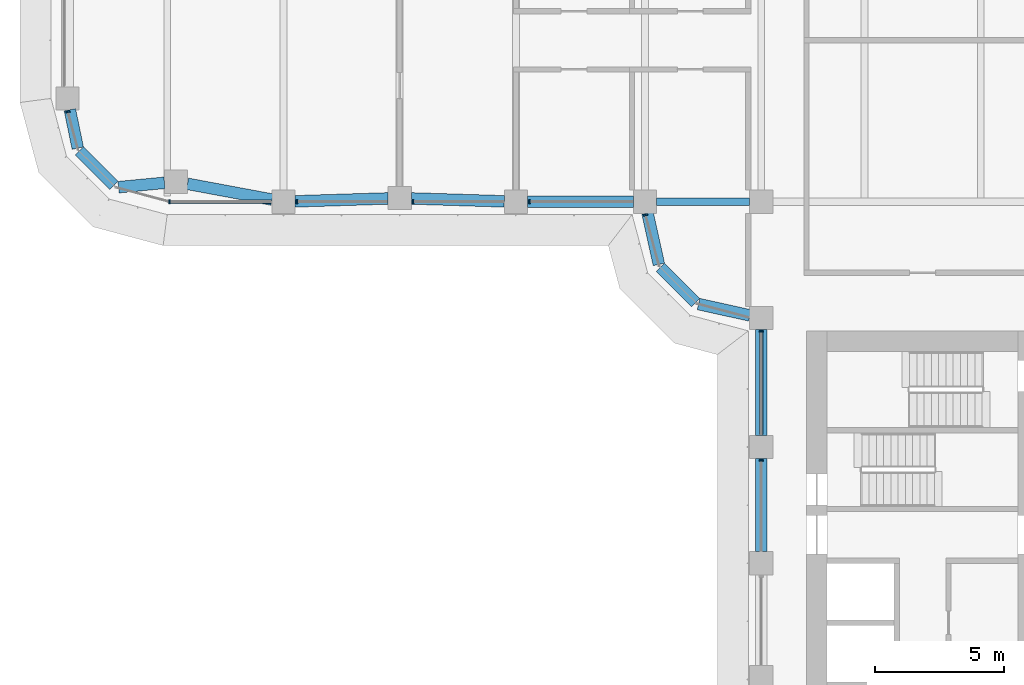
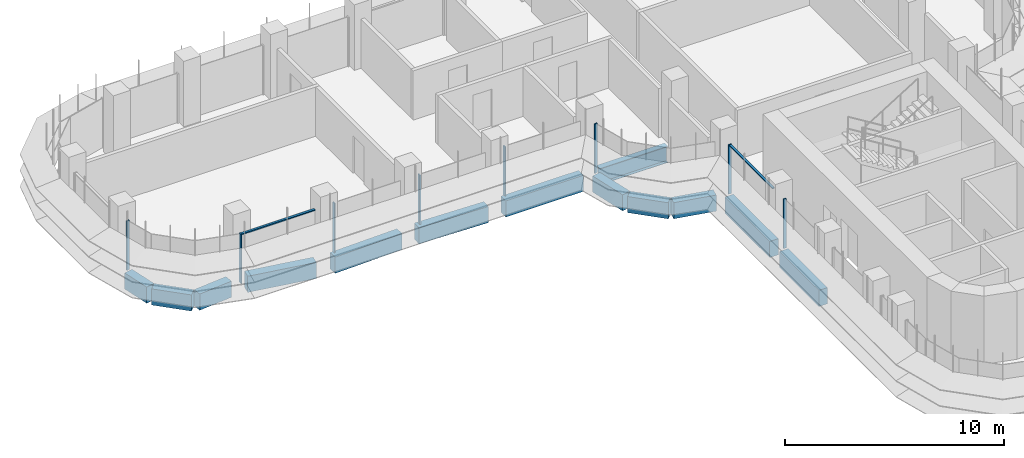
# One storey, part 3 of 21: 13 beams, 10 members, 4 elements without a shape of their own.
"""IFC4 building model written with IfcOpenShell, lengths in metres."""

from ifc_helpers import new_model, si_unit, direction, frame, origin, origin_2d, place, context, subcontext, project, spatial, polyline, rectangle, i_section, outline, extrude, source, transform, mapped, material, material_profile, profile_set, type_object, element, aggregate, save


model = new_model("IFC4")

# Units and contexts
model_context = context("Model", 3, precision=1e-05, world=origin(), true_north=direction((0.0, 1.0)))
body_context = subcontext(model_context, "Body", "Model", "MODEL_VIEW")
ifc_project = project(units=[si_unit("LENGTHUNIT", "METRE"), si_unit("AREAUNIT", "SQUARE_METRE"), si_unit("VOLUMEUNIT", "CUBIC_METRE"), si_unit("PLANEANGLEUNIT", "RADIAN"), si_unit("MASSUNIT", "GRAM", prefix="KILO")], contexts=[model_context])

# Site, building, storey
site_placement = place(None, origin())
site = spatial("IfcSite", under=ifc_project, at=site_placement, CompositionType="ELEMENT")
building_placement = place(site_placement, origin())
building = spatial("IfcBuilding", under=site, at=building_placement, Name="Zarbagh Exchange Tower", CompositionType="ELEMENT")
storey_placement = place(building_placement, frame((0.0, 0.0, 120.800048828125)))
storey = spatial("IfcBuildingStorey", under=building, at=storey_placement, Name="L28", CompositionType="ELEMENT", Elevation=120.800048828125)

# Beams
ifc_material_1 = material(Name="Steel ASTM A992 Gr 50", Category="steel")
ifc_material_profile_1 = material_profile(ifc_material_1, i_section(OverallWidth=0.3046875, OverallDepth=0.911865234375, WebThickness=0.015869140625, FlangeThickness=0.02392578125, at=origin_2d()), Name="W36X150")
ifc_profile_set_1 = profile_set([ifc_material_profile_1], Name="Steel ASTM A992 Gr 50")
beam_type_1 = type_object("IfcBeamType", Name="Floor girder W36X150", PredefinedType="BEAM", material=ifc_profile_set_1)
beam_1_placement = place(storey_placement, frame((-10.300048828125, -6.25, -0.60595703125), z_axis=(1.0, 0.0, 0.0), x_axis=(0.0, 1.0, 0.0)))
element("IfcBeam", 1, at=beam_1_placement, inside=storey, type_object=beam_type_1, Name="Steel girder", PredefinedType="BEAM", context=body_context, shape_type="SweptSolid", body=[
    extrude(i_section(OverallWidth=0.3046875, OverallDepth=0.911865234375, WebThickness=0.015869140625, FlangeThickness=0.02392578125, at=origin_2d()), origin(), (0.0, 0.0, 1.0), 3.60009765625),
])
ifc_material_2 = material(Name="Concrete C60/75", Category="concrete")
ifc_material_profile_2 = material_profile(ifc_material_2, rectangle(XDim=0.449951171875, YDim=0.89990234375, at=origin_2d()), Name="RC spandrel beam 450 x 900 C60/75")
ifc_profile_set_2 = profile_set([ifc_material_profile_2], Name="Concrete C60/75")
beam_type_2 = type_object("IfcBeamType", Name="RC spandrel beam 450 x 900 C60/75", PredefinedType="SPANDREL", material=ifc_profile_set_2)
beam_2_placement = place(storey_placement, frame((-6.25, -19.800048828125, -0.60009765625), z_axis=(0.0, 1.0, 0.0), x_axis=(-1.0, 0.0, 0.0)))
element("IfcBeam", 2, at=beam_2_placement, inside=storey, type_object=beam_type_2, Name="RC spandrel beam", PredefinedType="SPANDREL", context=body_context, shape_type="SweptSolid", body=[
    extrude(rectangle(XDim=0.449951171875, YDim=0.89990234375, at=origin_2d()), origin(), (0.0, 0.0, 1.0), 3.60009765625),
])
beam_3_placement = place(storey_placement, frame((-6.25, -15.300048828125, -0.60009765625), z_axis=(0.0, 1.0, 0.0), x_axis=(-1.0, 0.0, 0.0)))
element("IfcBeam", 3, at=beam_3_placement, inside=storey, type_object=beam_type_2, Name="RC spandrel beam", PredefinedType="SPANDREL", context=body_context, shape_type="SweptSolid", body=[
    extrude(rectangle(XDim=0.449951171875, YDim=0.89990234375, at=origin_2d()), origin(), (0.0, 0.0, 1.0), 4.10009765625),
])
beam_4_placement = place(storey_placement, frame((-6.689453125, -10.65283203125, -0.60009765625), z_axis=(-0.976367325525, 0.216117666208, 0.0), x_axis=(-0.216117666208, -0.976367325525, 0.0)))
element("IfcBeam", 4, at=beam_4_placement, inside=storey, type_object=beam_type_2, Name="RC spandrel beam", PredefinedType="SPANDREL", context=body_context, shape_type="SweptSolid", body=[
    extrude(rectangle(XDim=0.449951171875, YDim=0.89990234375, at=origin_2d()), origin(), (0.0, 0.0, 1.0), 2.03564453125),
])
beam_5_placement = place(storey_placement, frame((-8.78759765625, -10.15234375, -0.60009765625), z_axis=(-0.707106781187, 0.707106781187, 0.0), x_axis=(-0.707106781187, -0.707106781187, 0.0)))
element("IfcBeam", 5, at=beam_5_placement, inside=storey, type_object=beam_type_2, Name="RC spandrel beam", PredefinedType="SPANDREL", context=body_context, shape_type="SweptSolid", body=[
    extrude(rectangle(XDim=0.449951171875, YDim=0.89990234375, at=origin_2d()), origin(), (0.0, 0.0, 1.0), 1.929931640625),
])
beam_6_placement = place(storey_placement, frame((-10.212890625, -8.677001953125, -0.60009765625), z_axis=(-0.216117666208, 0.976367325525, 0.0), x_axis=(-0.976367325525, -0.216117666208, 0.0)))
element("IfcBeam", 6, at=beam_6_placement, inside=storey, type_object=beam_type_2, Name="RC spandrel beam", PredefinedType="SPANDREL", context=body_context, shape_type="SweptSolid", body=[
    extrude(rectangle(XDim=0.449951171875, YDim=0.89990234375, at=origin_2d()), origin(), (0.0, 0.0, 1.0), 2.03564453125),
])
beam_7_placement = place(storey_placement, frame((-11.199951171875, -6.25, -0.60009765625), z_axis=(-1.0, 0.0, 0.0), x_axis=(0.0, -1.0, 0.0)))
element("IfcBeam", 7, at=beam_7_placement, inside=storey, type_object=beam_type_2, Name="RC spandrel beam", PredefinedType="SPANDREL", context=body_context, shape_type="SweptSolid", body=[
    extrude(rectangle(XDim=0.449951171875, YDim=0.89990234375, at=origin_2d()), origin(), (0.0, 0.0, 1.0), 4.10009765625),
])
for number, where, z_axis, x_axis, name in (
    (8, (-16.19970703125, -6.236083984375, -0.60009765625), (-0.999516035224, 0.031107801747, 0.0), (-0.031107801747, -0.999516035224, 0.0), "RC spandrel beam"),
    (9, (-20.69970703125, -6.1240234375, -0.60009765625), (-0.999516035224, -0.031107801747, 0.0), (0.031107801747, -0.999516035224, 0.0), "RC spandrel beam"),
):
    element("IfcBeam", number, at=place(storey_placement, frame(where, z_axis=z_axis, x_axis=x_axis)), inside=storey, type_object=beam_type_2, Name=name, PredefinedType="SPANDREL", context=body_context, shape_type="SweptSolid", body=[
        extrude(rectangle(XDim=0.449951171875, YDim=0.89990234375, at=origin_2d()), origin(), (0.0, 0.0, 1.0), 3.602294921875),
    ])
beam_8_placement = place(storey_placement, frame((-25.1923828125, -6.16748046875, -0.60009765625), z_axis=(-0.98308156541, 0.183168326277, 0.0), x_axis=(-0.183168326277, -0.98308156541, 0.0)))
element("IfcBeam", 10, at=beam_8_placement, inside=storey, type_object=beam_type_2, Name="RC spandrel beam", PredefinedType="SPANDREL", context=body_context, shape_type="SweptSolid", body=[
    extrude(rectangle(XDim=0.449951171875, YDim=0.89990234375, at=origin_2d()), origin(), (0.0, 0.0, 1.0), 3.32958984375),
])
beam_9_placement = place(storey_placement, frame((-29.35595703125, -5.51806640625, -0.60009765625), z_axis=(-0.995433267802, -0.095459988228, 0.0), x_axis=(0.095459988228, -0.995433267802, 0.0)))
element("IfcBeam", 11, at=beam_9_placement, inside=storey, type_object=beam_type_2, Name="RC spandrel beam", PredefinedType="SPANDREL", context=body_context, shape_type="SweptSolid", body=[
    extrude(rectangle(XDim=0.449951171875, YDim=0.89990234375, at=origin_2d()), origin(), (0.0, 0.0, 1.0), 1.78759765625),
])
beam_10_placement = place(storey_placement, frame((-31.316162109375, -5.623779296875, -0.60009765625), z_axis=(-0.707106781187, 0.707106781187, 0.0), x_axis=(-0.707106781187, -0.707106781187, 0.0)))
element("IfcBeam", 12, at=beam_10_placement, inside=storey, type_object=beam_type_2, Name="RC spandrel beam", PredefinedType="SPANDREL", context=body_context, shape_type="SweptSolid", body=[
    extrude(rectangle(XDim=0.449951171875, YDim=0.89990234375, at=origin_2d()), origin(), (0.0, 0.0, 1.0), 1.887939453125),
])
beam_11_placement = place(storey_placement, frame((-32.71240234375, -4.17529296875, -0.60009765625), z_axis=(-0.202275417995, 0.979328675816, 0.0), x_axis=(-0.979328675816, -0.202275417995, 0.0)))
element("IfcBeam", 13, at=beam_11_placement, inside=storey, type_object=beam_type_2, Name="RC spandrel beam", PredefinedType="SPANDREL", context=body_context, shape_type="SweptSolid", body=[
    extrude(rectangle(XDim=0.449951171875, YDim=0.89990234375, at=origin_2d()), origin(), (0.0, 0.0, 1.0), 1.515869140625),
])

# Curtain wall, member
ifc_material_3 = material(Name="Anodised aluminium frame and glazing", Category="aluminium")
curtain_wall_type = type_object("IfcCurtainWallType", Name="CWA Ribbon glazing, lower zones", PredefinedType="NOTDEFINED", material=ifc_material_3)
curtain_wall_1_placement = place(storey_placement, origin())
curtain_wall_1 = element("IfcCurtainWall", 14, at=curtain_wall_1_placement, inside=storey, type_object=curtain_wall_type, Name="CWA37 curtain wall", PredefinedType="NOTDEFINED")
ifc_material_4 = material(Name="Anodised aluminium frame", Category="aluminium")
member_type_1 = type_object("IfcMemberType", Name="MUA Mullion, anodised aluminium frame", PredefinedType="MULLION", material=ifc_material_4)
shared_shape_1 = source(origin(), body_context, "Body", "SweptSolid", [
    extrude(outline(polyline([(0.0, -0.080078125), (0.06005859375, -0.080078125), (0.06005859375, 0.080078125), (0.0, 0.080078125), (0.0, -0.080078125)])), origin(), (0.0, 0.0, 1.0), 2.75),
])
placement = place(storey_placement, origin())
member_1 = element("IfcMember", 15, at=placement, type_object=member_type_1, Name="CWA37 mullion 1.1", PredefinedType="MULLION", context=body_context, shape_type="MappedRepresentation", body=[
    mapped(shared_shape_1, transform((-33.10107421875, -2.739990234375, 0.0), x_axis=(0.258824779902, -0.965924289636, 0.0), y_axis=(0.965924289636, 0.258824779902, 0.0), z_axis=(0.0, 0.0, 1.0))),
])
aggregate(curtain_wall_1, [member_1])

# Curtain wall, members
curtain_wall_2_placement = place(storey_placement, origin())
curtain_wall_2 = element("IfcCurtainWall", 16, at=curtain_wall_2_placement, inside=storey, type_object=curtain_wall_type, Name="CWA40 curtain wall", PredefinedType="NOTDEFINED")
member_2 = element("IfcMember", 17, at=placement, type_object=member_type_1, Name="CWA40 mullion 1.1", PredefinedType="MULLION", context=body_context, shape_type="MappedRepresentation", body=[
    mapped(shared_shape_1, transform((-29.18408203125, -6.25, 0.0), x_axis=(1.0, 0.0, 0.0), y_axis=(0.0, 1.0, 0.0), z_axis=(0.0, 0.0, 1.0))),
])
member_3 = element("IfcMember", 18, at=placement, type_object=member_type_1, Name="CWA40 mullion 2.1", PredefinedType="MULLION", context=body_context, shape_type="MappedRepresentation", body=[
    mapped(shared_shape_1, transform((-24.260009765625, -6.25, 0.0), x_axis=(1.0, 0.0, 0.0), y_axis=(0.0, 1.0, 0.0), z_axis=(0.0, 0.0, 1.0))),
])
member_4 = element("IfcMember", 19, at=placement, type_object=member_type_1, Name="CWA40 mullion 3.1", PredefinedType="MULLION", context=body_context, shape_type="MappedRepresentation", body=[
    mapped(shared_shape_1, transform((-19.760009765625, -6.25, 0.0), x_axis=(1.0, 0.0, 0.0), y_axis=(0.0, 1.0, 0.0), z_axis=(0.0, 0.0, 1.0))),
])
member_5 = element("IfcMember", 20, at=placement, type_object=member_type_1, Name="CWA40 mullion 4.1", PredefinedType="MULLION", context=body_context, shape_type="MappedRepresentation", body=[
    mapped(shared_shape_1, transform((-15.260009765625, -6.25, 0.0), x_axis=(1.0, 0.0, 0.0), y_axis=(0.0, 1.0, 0.0), z_axis=(0.0, 0.0, 1.0))),
])

# Curtain wall, member
curtain_wall_3_placement = place(storey_placement, origin())
curtain_wall_3 = element("IfcCurtainWall", 21, at=curtain_wall_3_placement, inside=storey, type_object=curtain_wall_type, Name="CWA41 curtain wall", PredefinedType="NOTDEFINED")
member_6 = element("IfcMember", 22, at=placement, type_object=member_type_1, Name="CWA41 mullion 1.1", PredefinedType="MULLION", context=body_context, shape_type="MappedRepresentation", body=[
    mapped(shared_shape_1, transform((-10.735107421875, -6.739990234375, 0.0), x_axis=(0.258824779902, -0.965924289636, 0.0), y_axis=(0.965924289636, 0.258824779902, 0.0), z_axis=(0.0, 0.0, 1.0))),
])
aggregate(curtain_wall_3, [member_6])

# Curtain wall, members
curtain_wall_4_placement = place(storey_placement, origin())
curtain_wall_4 = element("IfcCurtainWall", 23, at=curtain_wall_4_placement, inside=storey, type_object=curtain_wall_type, Name="CWA44 curtain wall", PredefinedType="NOTDEFINED")
member_7 = element("IfcMember", 24, at=placement, type_object=member_type_1, Name="CWA44 mullion 1.1", PredefinedType="MULLION", context=body_context, shape_type="MappedRepresentation", body=[
    mapped(shared_shape_1, transform((-6.25, -11.239990234375, 0.0), x_axis=(0.0, -1.0, 0.0), y_axis=(1.0, 0.0, 0.0), z_axis=(0.0, 0.0, 1.0))),
])
member_8 = element("IfcMember", 25, at=placement, type_object=member_type_1, Name="CWA44 mullion 2.1", PredefinedType="MULLION", context=body_context, shape_type="MappedRepresentation", body=[
    mapped(shared_shape_1, transform((-6.25, -16.239990234375, 0.0), x_axis=(0.0, -1.0, 0.0), y_axis=(1.0, 0.0, 0.0), z_axis=(0.0, 0.0, 1.0))),
])
member_type_2 = type_object("IfcMemberType", Name="TRA Transom, anodised aluminium frame", PredefinedType="USERDEFINED", material=ifc_material_4)
shared_shape_2 = source(origin(), body_context, "Body", "SweptSolid", [
    extrude(outline(polyline([(-0.06005859375, -0.06005859375), (0.0, -0.06005859375), (0.0, 0.06005859375), (-0.06005859375, 0.06005859375), (-0.06005859375, -0.06005859375)])), origin(), (0.0, 0.0, 1.0), 3.9599609375),
])
member_9 = element("IfcMember", 26, at=placement, type_object=member_type_2, Name="CWA44 transom 1.1", ObjectType="TRANSOM", PredefinedType="USERDEFINED", context=body_context, shape_type="MappedRepresentation", body=[
    mapped(shared_shape_2, transform((-6.25, -11.300048828125, 2.75), x_axis=(0.0, 0.0, 1.0), y_axis=(-1.0, 0.0, 0.0), z_axis=(0.0, -1.0, 0.0))),
])
aggregate(curtain_wall_4, [member_7, member_9, member_8])

# Member
shared_shape_3 = source(origin(), body_context, "Body", "SweptSolid", [
    extrude(outline(polyline([(-0.06005859375, -0.06005859375), (0.0, -0.06005859375), (0.0, 0.06005859375), (-0.06005859375, 0.06005859375), (-0.06005859375, -0.06005859375)])), origin(), (0.0, 0.0, 1.0), 3.88427734375),
])
member_10 = element("IfcMember", 27, at=placement, type_object=member_type_2, Name="CWA40 transom 1.1", ObjectType="TRANSOM", PredefinedType="USERDEFINED", context=body_context, shape_type="MappedRepresentation", body=[
    mapped(shared_shape_3, transform((-29.124267578125, -6.25, 2.75), x_axis=(0.0, 0.0, 1.0), y_axis=(0.0, -1.0, 0.0), z_axis=(1.0, 0.0, 0.0))),
])

aggregate(curtain_wall_2, [member_2, member_10, member_3, member_4, member_5])

save(model, "model.ifc")
